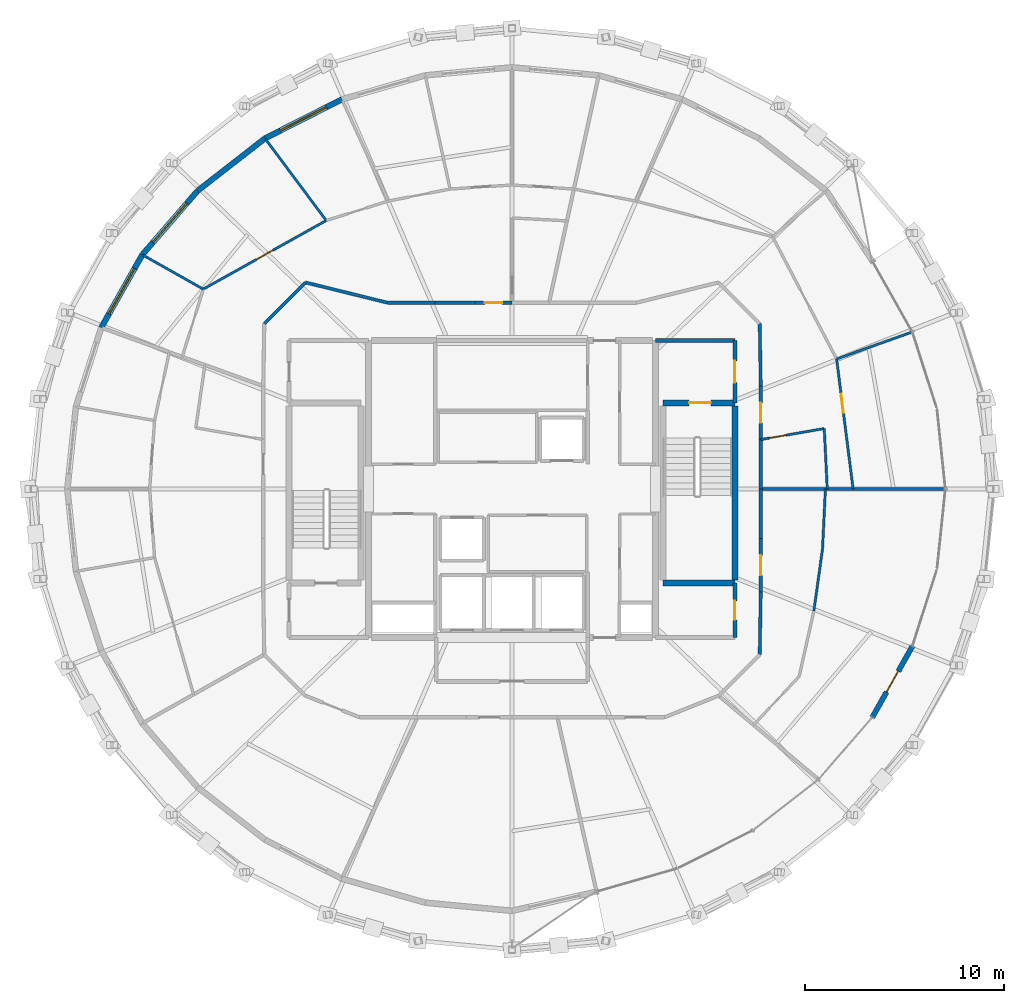
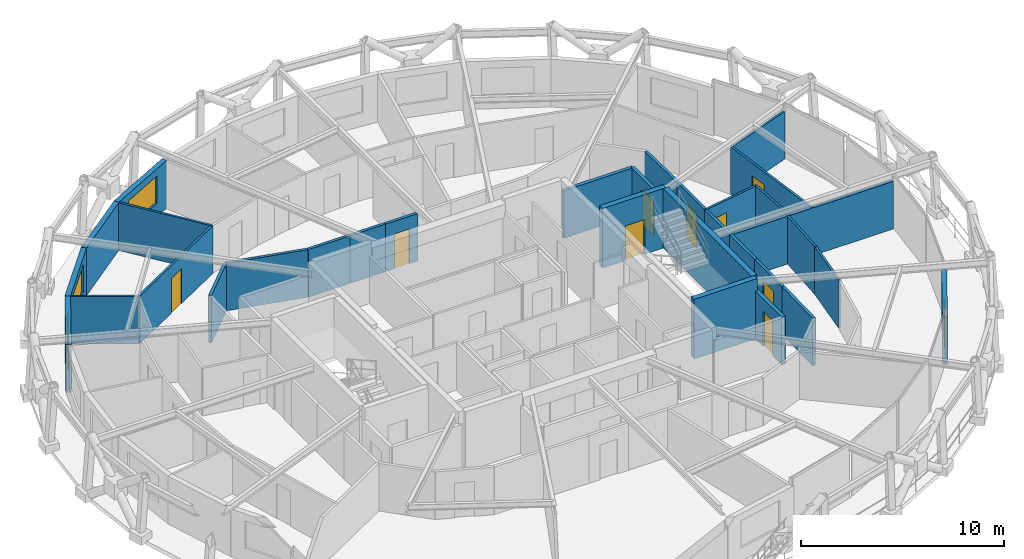
# One storey, part 15 of 18: 32 walls, 10 doors, 3 windows, 13 openings.
"""IFC4 building model written with IfcOpenShell, lengths in metres."""

from ifc_helpers import new_model, si_unit, direction, frame, frame_2d, origin, place, context, subcontext, project, spatial, rectangle, extrude, material, layer, layer_set, type_object, element, fill, save


model = new_model("IFC4")

# Units and contexts
model_context = context("Model", 3, precision=1e-05, world=origin(), true_north=direction((0.0, 1.0)))
body_context = subcontext(model_context, "Body", "Model", "MODEL_VIEW")
ifc_project = project(units=[si_unit("LENGTHUNIT", "METRE"), si_unit("AREAUNIT", "SQUARE_METRE"), si_unit("VOLUMEUNIT", "CUBIC_METRE"), si_unit("PLANEANGLEUNIT", "RADIAN"), si_unit("MASSUNIT", "GRAM", prefix="KILO")], contexts=[model_context])

# Site, building, storey
site_placement = place(None, origin())
site = spatial("IfcSite", under=ifc_project, at=site_placement, CompositionType="ELEMENT")
building_placement = place(site_placement, origin())
building = spatial("IfcBuilding", under=site, at=building_placement, Name="Veldorina Hangang Commons", CompositionType="ELEMENT")
storey_placement = place(building_placement, frame((0.0, 0.0, 232.800048828125)))
storey = spatial("IfcBuildingStorey", under=building, at=storey_placement, Name="L60", CompositionType="ELEMENT", Elevation=232.800048828125)

# Wall, opening, door
ifc_material_1 = material(Name="Stone Roman Travertine", Category="masonry")
ifc_layer_1 = layer(ifc_material_1, 0.260009765625)
ifc_layer_set_1 = layer_set([ifc_layer_1], Name="Stone Roman Travertine")
wall_type_1 = type_object("IfcWallType", Name="EW-LOGGIA-260", PredefinedType="STANDARD", material=ifc_layer_set_1)
wall_1_placement = place(storey_placement, frame((50.0810546875, 12.556396484375, 0.0), z_axis=(0.0, 0.0, 1.0), x_axis=(0.491457065187, 0.870901804498, 0.0)))
wall_1 = element("IfcWall", 1, at=wall_1_placement, inside=storey, type_object=wall_type_1, Name="L60 sky-garden loggia portal wall 29", PredefinedType="STANDARD", context=body_context, shape_type="SweptSolid", body=[
    extrude(rectangle(XDim=4.0888671875, YDim=0.260009765625, at=frame_2d((2.04443359375, 0.0))), origin(), (0.0, 0.0, 1.0), 2.8798828125),
])
opening_1_placement = place(wall_1_placement, frame((1.444580078125, 0.0, 0.0)))
opening_1 = element("IfcOpeningElement", 2, at=opening_1_placement, cuts=wall_1, Name="Opening BD-1200", PredefinedType="OPENING", context=body_context, shape_type="SweptSolid", body=[
    extrude(rectangle(XDim=1.199951171875, YDim=2.14990234375, at=frame_2d((0.60009765625, 1.074951171875))), frame((0.0, 0.14013671875, 0.0), z_axis=(0.0, -1.0, 0.0), x_axis=(1.0, 0.0, 0.0)), (0.0, 0.0, 1.0), 0.280029296875),
])
ifc_material_2 = material(Name="Glass Thermal Aluminium Frame", Category="aluminium")
door_type_1 = type_object("IfcDoorType", Name="DR-EXT-LOG1200", OperationType="SINGLE_SWING_LEFT", PredefinedType="DOOR", material=ifc_material_2)
door_1_placement = place(opening_1_placement, origin())
door_1 = element("IfcDoor", 3, at=door_1_placement, inside=storey, type_object=door_type_1, Name="L60 loggia glazed exterior door 29", OperationType="SINGLE_SWING_RIGHT", OverallHeight=2.14990234375, OverallWidth=1.199951171875, PredefinedType="DOOR", context=body_context, shape_type="SweptSolid", body=[
    extrude(rectangle(XDim=1.199951171875, YDim=2.14990234375, at=frame_2d((0.60009765625, 1.074951171875))), frame((0.0, 0.02490234375, 0.0), z_axis=(0.0, -1.0, 0.0), x_axis=(1.0, 0.0, 0.0)), (0.0, 0.0, 1.0), 0.050048828125),
])
fill(opening_1, door_1)

# Wall, opening, window
ifc_layer_2 = layer(ifc_material_1, 0.280029296875)
ifc_layer_set_2 = layer_set([ifc_layer_2], Name="Stone Roman Travertine")
wall_type_2 = type_object("IfcWallType", Name="EW-TRAV-280", PredefinedType="STANDARD", material=ifc_layer_set_2)
wall_2_placement = place(storey_placement, frame((23.4638671875, 43.547607421875, 0.0), z_axis=(0.0, 0.0, 1.0), x_axis=(-0.891906133231, -0.452220576162, 0.0)))
wall_2 = element("IfcWall", 4, at=wall_2_placement, inside=storey, type_object=wall_type_2, Name="L60 travertine facade wall 10", PredefinedType="STANDARD", context=body_context, shape_type="SweptSolid", body=[
    extrude(rectangle(XDim=4.32373046875, YDim=0.280029296875, at=frame_2d((2.161865234375, 0.0))), origin(), (0.0, 0.0, 1.0), 2.8798828125),
])
opening_2_placement = place(wall_2_placement, frame((0.86181640625, 0.0, 0.800048828125)))
opening_2 = element("IfcOpeningElement", 5, at=opening_2_placement, cuts=wall_2, Name="Opening W-02", PredefinedType="OPENING", context=body_context, shape_type="SweptSolid", body=[
    extrude(rectangle(XDim=2.60009765625, YDim=1.64990234375, at=frame_2d((1.300048828125, 0.824951171875))), frame((0.0, 0.14990234375, 0.0), z_axis=(0.0, -1.0, 0.0), x_axis=(1.0, 0.0, 0.0)), (0.0, 0.0, 1.0), 0.300048828125),
])
ifc_material_3 = material(Name="Glass Low-E Triple IGU", Category="glass")
window_type = type_object("IfcWindowType", Name="WIN-TWR-2600", PartitioningType="SINGLE_PANEL", PredefinedType="WINDOW", material=ifc_material_3)
window_1_placement = place(opening_2_placement, origin())
window_1 = element("IfcWindow", 6, at=window_1_placement, inside=storey, type_object=window_type, Name="L60 facade window 10", OverallHeight=1.64990234375, OverallWidth=2.60009765625, PartitioningType="SINGLE_PANEL", PredefinedType="WINDOW", context=body_context, shape_type="SweptSolid", body=[
    extrude(rectangle(XDim=2.60009765625, YDim=1.64990234375, at=frame_2d((1.300048828125, 0.824951171875))), frame((0.0, 0.030029296875, 0.0), z_axis=(0.0, -1.0, 0.0), x_axis=(1.0, 0.0, 0.0)), (0.0, 0.0, 1.0), 0.06005859375),
])
fill(opening_2, window_1)

# Wall
wall_3_placement = place(storey_placement, frame((19.607421875, 41.59228515625, 0.0), z_axis=(0.0, 0.0, 1.0), x_axis=(-0.789112773216, -0.614248346475, 0.0)))
element("IfcWall", 7, at=wall_3_placement, inside=storey, type_object=wall_type_2, Name="L60 travertine facade wall 11", PredefinedType="STANDARD", context=body_context, shape_type="SweptSolid", body=[
    extrude(rectangle(XDim=4.283447265625, YDim=0.280029296875, at=frame_2d((2.1416015625, 0.0))), origin(), (0.0, 0.0, 1.0), 2.8798828125),
])

# Wall, opening, window
wall_4_placement = place(storey_placement, frame((16.227294921875, 38.961181640625, 0.0), z_axis=(0.0, 0.0, 1.0), x_axis=(-0.654274793638, -0.756256897099, 0.0)))
wall_4 = element("IfcWall", 8, at=wall_4_placement, inside=storey, type_object=wall_type_2, Name="L60 travertine facade wall 12", PredefinedType="STANDARD", context=body_context, shape_type="SweptSolid", body=[
    extrude(rectangle(XDim=4.23974609375, YDim=0.280029296875, at=frame_2d((2.119873046875, 0.0))), origin(), (0.0, 0.0, 1.0), 2.8798828125),
])
opening_3_placement = place(wall_4_placement, frame((0.81982421875, 0.0, 0.800048828125)))
opening_3 = element("IfcOpeningElement", 9, at=opening_3_placement, cuts=wall_4, Name="Opening W-02", PredefinedType="OPENING", context=body_context, shape_type="SweptSolid", body=[
    extrude(rectangle(XDim=2.60009765625, YDim=1.64990234375, at=frame_2d((1.300048828125, 0.824951171875))), frame((0.0, 0.14990234375, 0.0), z_axis=(0.0, -1.0, 0.0), x_axis=(1.0, 0.0, 0.0)), (0.0, 0.0, 1.0), 0.300048828125),
])
window_2_placement = place(opening_3_placement, origin())
window_2 = element("IfcWindow", 10, at=window_2_placement, inside=storey, type_object=window_type, Name="L60 facade window 12", OverallHeight=1.64990234375, OverallWidth=2.60009765625, PartitioningType="SINGLE_PANEL", PredefinedType="WINDOW", context=body_context, shape_type="SweptSolid", body=[
    extrude(rectangle(XDim=2.60009765625, YDim=1.64990234375, at=frame_2d((1.300048828125, 0.824951171875))), frame((0.0, 0.030029296875, 0.0), z_axis=(0.0, -1.0, 0.0), x_axis=(1.0, 0.0, 0.0)), (0.0, 0.0, 1.0), 0.06005859375),
])
fill(opening_3, window_2)

wall_5_placement = place(storey_placement, frame((13.453369140625, 35.7548828125, 0.0), z_axis=(0.0, 0.0, 1.0), x_axis=(-0.490926410902, -0.871201044007, 0.0)))
wall_5 = element("IfcWall", 11, at=wall_5_placement, inside=storey, type_object=wall_type_2, Name="L60 travertine facade wall 13", PredefinedType="STANDARD", context=body_context, shape_type="SweptSolid", body=[
    extrude(rectangle(XDim=4.19873046875, YDim=0.280029296875, at=frame_2d((2.099365234375, 0.0))), origin(), (0.0, 0.0, 1.0), 2.8798828125),
])
opening_4_placement = place(wall_5_placement, frame((0.79931640625, 0.0, 0.800048828125)))
opening_4 = element("IfcOpeningElement", 12, at=opening_4_placement, cuts=wall_5, Name="Opening W-02", PredefinedType="OPENING", context=body_context, shape_type="SweptSolid", body=[
    extrude(rectangle(XDim=2.60009765625, YDim=1.64990234375, at=frame_2d((1.300048828125, 0.824951171875))), frame((0.0, 0.14990234375, 0.0), z_axis=(0.0, -1.0, 0.0), x_axis=(1.0, 0.0, 0.0)), (0.0, 0.0, 1.0), 0.300048828125),
])
window_3_placement = place(opening_4_placement, origin())
window_3 = element("IfcWindow", 13, at=window_3_placement, inside=storey, type_object=window_type, Name="L60 facade window 13", OverallHeight=1.64990234375, OverallWidth=2.60009765625, PartitioningType="SINGLE_PANEL", PredefinedType="WINDOW", context=body_context, shape_type="SweptSolid", body=[
    extrude(rectangle(XDim=2.60009765625, YDim=1.64990234375, at=frame_2d((1.300048828125, 0.824951171875))), frame((0.0, 0.030029296875, 0.0), z_axis=(0.0, -1.0, 0.0), x_axis=(1.0, 0.0, 0.0)), (0.0, 0.0, 1.0), 0.06005859375),
])
fill(opening_4, window_3)

# Walls
ifc_material_4 = material(Name="Concrete C50/60", Category="concrete")
ifc_layer_3 = layer(ifc_material_4, 0.300048828125)
ifc_layer_set_3 = layer_set([ifc_layer_3], Name="Concrete C50/60")
wall_type_3 = type_object("IfcWallType", Name="SW-STAIR-300", PredefinedType="SHEAR", material=ifc_layer_set_3)
wall_6_placement = place(storey_placement, frame((43.179931640625, 19.429931640625, 0.0), z_axis=(0.0, 0.0, 1.0), x_axis=(0.0, 1.0, 0.0)))
element("IfcWall", 14, at=wall_6_placement, inside=storey, type_object=wall_type_3, Name="L60 ST2 outer stair shear wall", PredefinedType="SHEAR", context=body_context, shape_type="SweptSolid", body=[
    extrude(rectangle(XDim=8.739990234375, YDim=0.300048828125, at=frame_2d((4.3701171875, 0.0))), origin(), (0.0, 0.0, 1.0), 3.599853515625),
])
wall_7_placement = place(storey_placement, frame((39.580078125, 19.280029296875, 0.0), z_axis=(0.0, 0.0, 1.0), x_axis=(1.0, 0.0, 0.0)))
element("IfcWall", 15, at=wall_7_placement, inside=storey, type_object=wall_type_3, Name="L60 ST2 south stair shear wall", PredefinedType="SHEAR", context=body_context, shape_type="SweptSolid", body=[
    extrude(rectangle(XDim=3.599853515625, YDim=0.300048828125, at=frame_2d((1.7998046875, 0.0))), origin(), (0.0, 0.0, 1.0), 3.599853515625),
])

# Wall, opening, door
wall_8_placement = place(storey_placement, frame((39.580078125, 28.320068359375, 0.0), z_axis=(0.0, 0.0, 1.0), x_axis=(1.0, 0.0, 0.0)))
wall_8 = element("IfcWall", 16, at=wall_8_placement, inside=storey, type_object=wall_type_3, Name="L60 ST2 north stair shear wall", PredefinedType="SHEAR", context=body_context, shape_type="SweptSolid", body=[
    extrude(rectangle(XDim=3.599853515625, YDim=0.300048828125, at=frame_2d((1.7998046875, 0.0))), origin(), (0.0, 0.0, 1.0), 3.599853515625),
])
opening_5_placement = place(wall_8_placement, frame((1.300048828125, 0.0, 0.0)))
opening_5 = element("IfcOpeningElement", 17, at=opening_5_placement, cuts=wall_8, Name="Opening D-08", PredefinedType="OPENING", context=body_context, shape_type="SweptSolid", body=[
    extrude(rectangle(XDim=1.10009765625, YDim=2.10009765625, at=frame_2d((0.550048828125, 1.050048828125))), frame((0.0, 0.16015625, 0.0), z_axis=(0.0, -1.0, 0.0), x_axis=(1.0, 0.0, 0.0)), (0.0, 0.0, 1.0), 0.320068359375),
])
ifc_material_5 = material(Name="Steel Fire-Rated Smoke Seal", Category="steel")
door_type_2 = type_object("IfcDoorType", Name="DR-FIRE-1100", OperationType="SINGLE_SWING_RIGHT", PredefinedType="DOOR", material=ifc_material_5)
door_2_placement = place(opening_5_placement, origin())
door_2 = element("IfcDoor", 18, at=door_2_placement, inside=storey, type_object=door_type_2, Name="L60 Special Escape Stair ST-2 door", OperationType="SINGLE_SWING_RIGHT", OverallHeight=2.10009765625, OverallWidth=1.10009765625, PredefinedType="DOOR", context=body_context, shape_type="SweptSolid", body=[
    extrude(rectangle(XDim=1.10009765625, YDim=2.10009765625, at=frame_2d((0.550048828125, 1.050048828125))), frame((0.0, 0.02490234375, 0.0), z_axis=(0.0, -1.0, 0.0), x_axis=(1.0, 0.0, 0.0)), (0.0, 0.0, 1.0), 0.050048828125),
])
fill(opening_5, door_2)

# Wall
ifc_material_6 = material(Name="Gypsum Fire-Rated Twin Stud Wall", Category="gypsum")
ifc_layer_4 = layer(ifc_material_6, 0.159912109375)
ifc_layer_set_4 = layer_set([ifc_layer_4], Name="Gypsum Fire-Rated Twin Stud Wall")
wall_type_4 = type_object("IfcWallType", Name="WL-FIRE-160", PredefinedType="SOLIDWALL", material=ifc_layer_set_4)
wall_9_placement = place(storey_placement, frame((44.47998046875, 24.0, 0.0), z_axis=(0.0, 0.0, 1.0), x_axis=(0.0, 1.0, 0.0)))
element("IfcWall", 19, at=wall_9_placement, inside=storey, type_object=wall_type_4, Name="L60 Compact collar outer wall 00 050", PredefinedType="SOLIDWALL", context=body_context, shape_type="SweptSolid", body=[
    extrude(rectangle(XDim=2.482421875, YDim=0.159912109375, at=frame_2d((1.2412109375, 0.0))), origin(), (0.0, 0.0, 1.0), 2.869873046875),
])

# Wall, opening, door
wall_10_placement = place(storey_placement, frame((44.47998046875, 26.482421875, 0.0), z_axis=(0.0, 0.0, 1.0), x_axis=(0.0, 1.0, 0.0)))
wall_10 = element("IfcWall", 20, at=wall_10_placement, inside=storey, type_object=wall_type_4, Name="L60 Compact collar outer wall 01 051", PredefinedType="SOLIDWALL", context=body_context, shape_type="SweptSolid", body=[
    extrude(rectangle(XDim=2.68701171875, YDim=0.159912109375, at=frame_2d((1.343505859375, 0.0))), origin(), (0.0, 0.0, 1.0), 2.869873046875),
])
opening_6_placement = place(wall_10_placement, frame((0.843505859375, 0.0, 0.0)))
opening_6 = element("IfcOpeningElement", 21, at=opening_6_placement, cuts=wall_10, Name="Opening D-06", PredefinedType="OPENING", context=body_context, shape_type="SweptSolid", body=[
    extrude(rectangle(XDim=1.0, YDim=2.10009765625, at=frame_2d((0.5, 1.050048828125))), frame((0.0, 0.08984375, 0.0), z_axis=(0.0, -1.0, 0.0), x_axis=(1.0, 0.0, 0.0)), (0.0, 0.0, 1.0), 0.179931640625),
])
ifc_material_7 = material(Name="Timber Fire-Rated Entrance Core", Category="wood")
door_type_3 = type_object("IfcDoorType", Name="DR-UNIT-1000", OperationType="SINGLE_SWING_LEFT", PredefinedType="DOOR", material=ifc_material_7)
door_3_placement = place(opening_6_placement, origin())
door_3 = element("IfcDoor", 22, at=door_3_placement, inside=storey, type_object=door_type_3, Name="L60 Cluster 2 entrance door 021", OperationType="SINGLE_SWING_LEFT", OverallHeight=2.10009765625, OverallWidth=1.0, PredefinedType="DOOR", context=body_context, shape_type="SweptSolid", body=[
    extrude(rectangle(XDim=1.0, YDim=2.10009765625, at=frame_2d((0.5, 1.050048828125))), frame((0.0, 0.02490234375, 0.0), z_axis=(0.0, -1.0, 0.0), x_axis=(1.0, 0.0, 0.0)), (0.0, 0.0, 1.0), 0.050048828125),
])
fill(opening_6, door_3)

# Wall
wall_11_placement = place(storey_placement, frame((44.47998046875, 29.16943359375, 0.0), z_axis=(0.0, 0.0, 1.0), x_axis=(-0.016981035134, 0.999855811828, 0.0)))
element("IfcWall", 23, at=wall_11_placement, inside=storey, type_object=wall_type_4, Name="L60 Compact collar outer wall 02 052", PredefinedType="SOLIDWALL", context=body_context, shape_type="SweptSolid", body=[
    extrude(rectangle(XDim=3.13427734375, YDim=0.159912109375, at=frame_2d((1.567138671875, 0.0))), origin(), (0.0, 0.0, 1.0), 2.869873046875),
])

# Wall, opening, door
wall_12_placement = place(storey_placement, frame((32.0, 33.35009765625, 0.0), z_axis=(0.0, 0.0, 1.0), x_axis=(-1.0, 0.0, 0.0)))
wall_12 = element("IfcWall", 24, at=wall_12_placement, inside=storey, type_object=wall_type_4, Name="L60 Compact collar outer wall 08 058", PredefinedType="SOLIDWALL", context=body_context, shape_type="SweptSolid", body=[
    extrude(rectangle(XDim=1.85986328125, YDim=0.159912109375, at=frame_2d((0.929931640625, 0.0))), origin(), (0.0, 0.0, 1.0), 2.869873046875),
])
opening_7_placement = place(wall_12_placement, frame((0.5, 0.0, 0.0)))
opening_7 = element("IfcOpeningElement", 25, at=opening_7_placement, cuts=wall_12, Name="Opening D-01N", PredefinedType="OPENING", context=body_context, shape_type="SweptSolid", body=[
    extrude(rectangle(XDim=0.860107421875, YDim=2.10009765625, at=frame_2d((0.43017578125, 1.050048828125))), frame((0.0, 0.08984375, 0.0), z_axis=(0.0, -1.0, 0.0), x_axis=(1.0, 0.0, 0.0)), (0.0, 0.0, 1.0), 0.179931640625),
])
ifc_material_8 = material(Name="Timber Fire-Rated Core", Category="wood")
door_type_4 = type_object("IfcDoorType", Name="DR-INT-860", OperationType="SINGLE_SWING_LEFT", PredefinedType="DOOR", material=ifc_material_8)
door_4_placement = place(opening_7_placement, origin())
door_4 = element("IfcDoor", 26, at=door_4_placement, inside=storey, type_object=door_type_4, Name="L60 Cluster 3 entrance door 027", OperationType="SINGLE_SWING_LEFT", OverallHeight=2.10009765625, OverallWidth=0.860107421875, PredefinedType="DOOR", context=body_context, shape_type="SweptSolid", body=[
    extrude(rectangle(XDim=0.860107421875, YDim=2.10009765625, at=frame_2d((0.43017578125, 1.050048828125))), frame((0.0, 0.02490234375, 0.0), z_axis=(0.0, -1.0, 0.0), x_axis=(1.0, 0.0, 0.0)), (0.0, 0.0, 1.0), 0.050048828125),
])
fill(opening_7, door_4)

# Walls
wall_13_placement = place(storey_placement, frame((30.14013671875, 33.35009765625, 0.0), z_axis=(0.0, 0.0, 1.0), x_axis=(-1.0, 0.0, 0.0)))
element("IfcWall", 27, at=wall_13_placement, inside=storey, type_object=wall_type_4, Name="L60 Compact collar outer wall 09 059", PredefinedType="SOLIDWALL", context=body_context, shape_type="SweptSolid", body=[
    extrude(rectangle(XDim=2.012939453125, YDim=0.159912109375, at=frame_2d((1.00634765625, 0.0))), origin(), (0.0, 0.0, 1.0), 2.869873046875),
])
wall_14_placement = place(storey_placement, frame((28.127197265625, 33.35009765625, 0.0), z_axis=(0.0, 0.0, 1.0), x_axis=(-1.0, 0.0, 0.0)))
element("IfcWall", 28, at=wall_14_placement, inside=storey, type_object=wall_type_4, Name="L60 Compact collar outer wall 10 060", PredefinedType="SOLIDWALL", context=body_context, shape_type="SweptSolid", body=[
    extrude(rectangle(XDim=2.374755859375, YDim=0.159912109375, at=frame_2d((1.1875, 0.0))), origin(), (0.0, 0.0, 1.0), 2.869873046875),
])
wall_15_placement = place(storey_placement, frame((25.75244140625, 33.35009765625, 0.0), z_axis=(0.0, 0.0, 1.0), x_axis=(-0.970939799552, 0.239323850978, 0.0)))
element("IfcWall", 29, at=wall_15_placement, inside=storey, type_object=wall_type_4, Name="L60 Compact collar outer wall 11 061", PredefinedType="SOLIDWALL", context=body_context, shape_type="SweptSolid", body=[
    extrude(rectangle(XDim=4.24072265625, YDim=0.159912109375, at=frame_2d((2.120361328125, 0.0))), origin(), (0.0, 0.0, 1.0), 2.869873046875),
])
wall_16_placement = place(storey_placement, frame((21.635009765625, 34.364990234375, 0.0), z_axis=(0.0, 0.0, 1.0), x_axis=(-0.707106781187, -0.707106781187, 0.0)))
element("IfcWall", 30, at=wall_16_placement, inside=storey, type_object=wall_type_4, Name="L60 Compact collar outer wall 12 062", PredefinedType="SOLIDWALL", context=body_context, shape_type="SweptSolid", body=[
    extrude(rectangle(XDim=2.915771484375, YDim=0.159912109375, at=frame_2d((1.4580078125, 0.0))), origin(), (0.0, 0.0, 1.0), 2.869873046875),
])
wall_17_placement = place(storey_placement, frame((44.4267578125, 15.69677734375, 0.0), z_axis=(0.0, 0.0, 1.0), x_axis=(0.016981035134, 0.999855811828, 0.0)))
element("IfcWall", 31, at=wall_17_placement, inside=storey, type_object=wall_type_4, Name="L60 Compact collar outer wall 29 079", PredefinedType="SOLIDWALL", context=body_context, shape_type="SweptSolid", body=[
    extrude(rectangle(XDim=3.13427734375, YDim=0.159912109375, at=frame_2d((1.567138671875, 0.0))), origin(), (0.0, 0.0, 1.0), 2.869873046875),
])

# Wall, opening, door
wall_18_placement = place(storey_placement, frame((44.47998046875, 18.83056640625, 0.0), z_axis=(0.0, 0.0, 1.0), x_axis=(0.0, 1.0, 0.0)))
wall_18 = element("IfcWall", 32, at=wall_18_placement, inside=storey, type_object=wall_type_4, Name="L60 Compact collar outer wall 30 080", PredefinedType="SOLIDWALL", context=body_context, shape_type="SweptSolid", body=[
    extrude(rectangle(XDim=2.68701171875, YDim=0.159912109375, at=frame_2d((1.343505859375, 0.0))), origin(), (0.0, 0.0, 1.0), 2.869873046875),
])
opening_8_placement = place(wall_18_placement, frame((0.843505859375, 0.0, 0.0)))
opening_8 = element("IfcOpeningElement", 33, at=opening_8_placement, cuts=wall_18, Name="Opening D-05", PredefinedType="OPENING", context=body_context, shape_type="SweptSolid", body=[
    extrude(rectangle(XDim=1.0, YDim=2.10009765625, at=frame_2d((0.5, 1.050048828125))), frame((0.0, 0.08984375, 0.0), z_axis=(0.0, -1.0, 0.0), x_axis=(1.0, 0.0, 0.0)), (0.0, 0.0, 1.0), 0.179931640625),
])
ifc_material_9 = material(Name="Timber Solid Core Acoustic", Category="wood")
door_type_5 = type_object("IfcDoorType", Name="DR-INT-1000", OperationType="SINGLE_SWING_RIGHT", PredefinedType="DOOR", material=ifc_material_9)
door_5_placement = place(opening_8_placement, origin())
door_5 = element("IfcDoor", 34, at=door_5_placement, inside=storey, type_object=door_type_5, Name="L60 Commons alcove door 018", OperationType="SINGLE_SWING_RIGHT", OverallHeight=2.10009765625, OverallWidth=1.0, PredefinedType="DOOR", context=body_context, shape_type="SweptSolid", body=[
    extrude(rectangle(XDim=1.0, YDim=2.10009765625, at=frame_2d((0.5, 1.050048828125))), frame((0.0, 0.02490234375, 0.0), z_axis=(0.0, -1.0, 0.0), x_axis=(1.0, 0.0, 0.0)), (0.0, 0.0, 1.0), 0.050048828125),
])
fill(opening_8, door_5)

# Walls
wall_19_placement = place(storey_placement, frame((44.47998046875, 21.517578125, 0.0), z_axis=(0.0, 0.0, 1.0), x_axis=(0.0, 1.0, 0.0)))
element("IfcWall", 35, at=wall_19_placement, inside=storey, type_object=wall_type_4, Name="L60 Compact collar outer wall 31 081", PredefinedType="SOLIDWALL", context=body_context, shape_type="SweptSolid", body=[
    extrude(rectangle(XDim=2.482421875, YDim=0.159912109375, at=frame_2d((1.2412109375, 0.0))), origin(), (0.0, 0.0, 1.0), 2.869873046875),
])
wall_20_placement = place(storey_placement, frame((44.47998046875, 24.0, 0.0), z_axis=(0.0, 0.0, 1.0), x_axis=(1.0, 0.0, 0.0)))
element("IfcWall", 36, at=wall_20_placement, inside=storey, type_object=wall_type_4, Name="L60 Unit party wall 00 087", PredefinedType="SOLIDWALL", context=body_context, shape_type="SweptSolid", body=[
    extrude(rectangle(XDim=9.2158203125, YDim=0.159912109375, at=frame_2d((4.60791015625, 0.0))), origin(), (0.0, 0.0, 1.0), 2.869873046875),
])

# Wall, opening, door
ifc_material_10 = material(Name="Concrete Blockwork Fire Wall C30/37", Category="masonry")
ifc_layer_5 = layer(ifc_material_10, 0.199951171875)
ifc_layer_set_5 = layer_set([ifc_layer_5], Name="Concrete Blockwork Fire Wall C30/37")
wall_type_5 = type_object("IfcWallType", Name="WL-FIRE-200", PredefinedType="SOLIDWALL", material=ifc_layer_set_5)
wall_21_placement = place(storey_placement, frame((43.179931640625, 28.320068359375, 0.0), z_axis=(0.0, 0.0, 1.0), x_axis=(0.0, 1.0, 0.0)))
wall_21 = element("IfcWall", 37, at=wall_21_placement, inside=storey, type_object=wall_type_5, Name="L60 East vestibule outer wall 003", PredefinedType="SOLIDWALL", context=body_context, shape_type="SweptSolid", body=[
    extrude(rectangle(XDim=3.1298828125, YDim=0.199951171875, at=frame_2d((1.56494140625, 0.0))), origin(), (0.0, 0.0, 1.0), 2.869873046875),
])
opening_9_placement = place(wall_21_placement, frame((1.014892578125, 0.0, 0.0)))
opening_9 = element("IfcOpeningElement", 38, at=opening_9_placement, cuts=wall_21, Name="Opening D-08", PredefinedType="OPENING", context=body_context, shape_type="SweptSolid", body=[
    extrude(rectangle(XDim=1.10009765625, YDim=2.10009765625, at=frame_2d((0.550048828125, 1.050048828125))), frame((0.0, 0.10986328125, 0.0), z_axis=(0.0, -1.0, 0.0), x_axis=(1.0, 0.0, 0.0)), (0.0, 0.0, 1.0), 0.219970703125),
])
door_6_placement = place(opening_9_placement, origin())
door_6 = element("IfcDoor", 39, at=door_6_placement, inside=storey, type_object=door_type_2, Name="L60 East vestibule east door 002", OperationType="SINGLE_SWING_RIGHT", OverallHeight=2.10009765625, OverallWidth=1.10009765625, PredefinedType="DOOR", context=body_context, shape_type="SweptSolid", body=[
    extrude(rectangle(XDim=1.10009765625, YDim=2.10009765625, at=frame_2d((0.550048828125, 1.050048828125))), frame((0.0, 0.02490234375, 0.0), z_axis=(0.0, -1.0, 0.0), x_axis=(1.0, 0.0, 0.0)), (0.0, 0.0, 1.0), 0.050048828125),
])
fill(opening_9, door_6)

# Wall
wall_22_placement = place(storey_placement, frame((39.199951171875, 31.449951171875, 0.0), z_axis=(0.0, 0.0, 1.0), x_axis=(1.0, 0.0, 0.0)))
element("IfcWall", 40, at=wall_22_placement, inside=storey, type_object=wall_type_5, Name="L60 East vestibule north wall 004", PredefinedType="SOLIDWALL", context=body_context, shape_type="SweptSolid", body=[
    extrude(rectangle(XDim=3.97998046875, YDim=0.199951171875, at=frame_2d((1.989990234375, 0.0))), origin(), (0.0, 0.0, 1.0), 2.869873046875),
])

# Wall, opening, door
wall_23_placement = place(storey_placement, frame((43.179931640625, 16.550048828125, 0.0), z_axis=(0.0, 0.0, 1.0), x_axis=(0.0, 1.0, 0.0)))
wall_23 = element("IfcWall", 41, at=wall_23_placement, inside=storey, type_object=wall_type_5, Name="L60 SE core room outer wall 007", PredefinedType="SOLIDWALL", context=body_context, shape_type="SweptSolid", body=[
    extrude(rectangle(XDim=2.72998046875, YDim=0.199951171875, at=frame_2d((1.364990234375, 0.0))), origin(), (0.0, 0.0, 1.0), 2.869873046875),
])
opening_10_placement = place(wall_23_placement, frame((0.889892578125, 0.0, 0.0)))
opening_10 = element("IfcOpeningElement", 42, at=opening_10_placement, cuts=wall_23, Name="Opening D-02", PredefinedType="OPENING", context=body_context, shape_type="SweptSolid", body=[
    extrude(rectangle(XDim=0.949951171875, YDim=2.10009765625, at=frame_2d((0.47509765625, 1.050048828125))), frame((0.0, 0.10986328125, 0.0), z_axis=(0.0, -1.0, 0.0), x_axis=(1.0, 0.0, 0.0)), (0.0, 0.0, 1.0), 0.219970703125),
])
door_type_6 = type_object("IfcDoorType", Name="DR-INT-950", OperationType="SINGLE_SWING_LEFT", PredefinedType="DOOR", material=ifc_material_9)
door_7_placement = place(opening_10_placement, origin())
door_7 = element("IfcDoor", 43, at=door_7_placement, inside=storey, type_object=door_type_6, Name="L60 SE core WC door 004", OperationType="SINGLE_SWING_RIGHT", OverallHeight=2.10009765625, OverallWidth=0.949951171875, PredefinedType="DOOR", context=body_context, shape_type="SweptSolid", body=[
    extrude(rectangle(XDim=0.949951171875, YDim=2.10009765625, at=frame_2d((0.47509765625, 1.050048828125))), frame((0.0, 0.02490234375, 0.0), z_axis=(0.0, -1.0, 0.0), x_axis=(1.0, 0.0, 0.0)), (0.0, 0.0, 1.0), 0.050048828125),
])
fill(opening_10, door_7)

# Walls
ifc_material_11 = material(Name="Gypsum Acoustic Stud Partition", Category="gypsum")
ifc_layer_6 = layer(ifc_material_11, 0.1201171875)
ifc_layer_set_6 = layer_set([ifc_layer_6], Name="Gypsum Acoustic Stud Partition")
wall_type_6 = type_object("IfcWallType", Name="WL-PART-120", PredefinedType="PARTITIONING", material=ifc_layer_set_6)
wall_24_placement = place(storey_placement, frame((47.143798828125, 17.881103515625, 0.0), z_axis=(0.0, 0.0, 1.0), x_axis=(0.138416734292, 0.990374074614, 0.0)))
element("IfcWall", 44, at=wall_24_placement, inside=storey, type_object=wall_type_6, Name="L60 Lounge alcove split 2 085", PredefinedType="PARTITIONING", context=body_context, shape_type="SweptSolid", body=[
    extrude(rectangle(XDim=3.12890625, YDim=0.1201171875, at=frame_2d((1.564453125, 0.0))), origin(), (0.0, 0.0, 1.0), 2.869873046875),
])
wall_25_placement = place(storey_placement, frame((47.576904296875, 20.97998046875, 0.0), z_axis=(0.0, 0.0, 1.0), x_axis=(0.048366932207, 0.998829635057, 0.0)))
element("IfcWall", 45, at=wall_25_placement, inside=storey, type_object=wall_type_6, Name="L60 Lounge alcove split 3 086", PredefinedType="PARTITIONING", context=body_context, shape_type="SweptSolid", body=[
    extrude(rectangle(XDim=3.0234375, YDim=0.1201171875, at=frame_2d((1.51171875, 0.0))), origin(), (0.0, 0.0, 1.0), 2.869873046875),
])
wall_26_placement = place(storey_placement, frame((47.815673828125, 24.0, 0.0), z_axis=(0.0, 0.0, 1.0), x_axis=(-0.049484864646, 0.998774873618, 0.0)))
element("IfcWall", 46, at=wall_26_placement, inside=storey, type_object=wall_type_6, Name="L60 Cluster 2 bath front wall 088", PredefinedType="PARTITIONING", context=body_context, shape_type="SweptSolid", body=[
    extrude(rectangle(XDim=3.0390625, YDim=0.1201171875, at=frame_2d((1.51953125, 0.0))), origin(), (0.0, 0.0, 1.0), 2.869873046875),
])

# Wall, opening, door
wall_27_placement = place(storey_placement, frame((44.47998046875, 26.482421875, 0.0), z_axis=(0.0, 0.0, 1.0), x_axis=(0.985263255419, 0.171044782212, 0.0)))
wall_27 = element("IfcWall", 47, at=wall_27_placement, inside=storey, type_object=wall_type_6, Name="L60 Cluster 2 bath side wall 089", PredefinedType="PARTITIONING", context=body_context, shape_type="SweptSolid", body=[
    extrude(rectangle(XDim=3.23291015625, YDim=0.1201171875, at=frame_2d((1.616455078125, 0.0))), origin(), (0.0, 0.0, 1.0), 2.869873046875),
])
opening_11_placement = place(wall_27_placement, frame((0.43994140625, 0.0, 0.0)))
opening_11 = element("IfcOpeningElement", 48, at=opening_11_placement, cuts=wall_27, Name="Opening D-01", PredefinedType="OPENING", context=body_context, shape_type="SweptSolid", body=[
    extrude(rectangle(XDim=0.860107421875, YDim=2.10009765625, at=frame_2d((0.43017578125, 1.050048828125))), frame((0.0, 0.070068359375, 0.0), z_axis=(0.0, -1.0, 0.0), x_axis=(1.0, 0.0, 0.0)), (0.0, 0.0, 1.0), 0.14013671875),
])
ifc_material_12 = material(Name="Timber Moisture-Resistant Core", Category="wood")
door_type_7 = type_object("IfcDoorType", Name="DR-WET-860", OperationType="SINGLE_SWING_LEFT", PredefinedType="DOOR", material=ifc_material_12)
door_8_placement = place(opening_11_placement, origin())
door_8 = element("IfcDoor", 49, at=door_8_placement, inside=storey, type_object=door_type_7, Name="L60 Cluster 2 shared bathroom door 020", OperationType="SINGLE_SWING_RIGHT", OverallHeight=2.10009765625, OverallWidth=0.860107421875, PredefinedType="DOOR", context=body_context, shape_type="SweptSolid", body=[
    extrude(rectangle(XDim=0.860107421875, YDim=2.10009765625, at=frame_2d((0.43017578125, 1.050048828125))), frame((0.0, 0.02490234375, 0.0), z_axis=(0.0, -1.0, 0.0), x_axis=(1.0, 0.0, 0.0)), (0.0, 0.0, 1.0), 0.050048828125),
])
fill(opening_11, door_8)

wall_28_placement = place(storey_placement, frame((49.11279296875, 24.0, 0.0), z_axis=(0.0, 0.0, 1.0), x_axis=(-0.125779473563, 0.992058226129, 0.0)))
wall_28 = element("IfcWall", 50, at=wall_28_placement, inside=storey, type_object=wall_type_6, Name="L60 Cluster 2 bed 1 front wall 090", PredefinedType="PARTITIONING", context=body_context, shape_type="SweptSolid", body=[
    extrude(rectangle(XDim=6.578125, YDim=0.1201171875, at=frame_2d((3.2890625, 0.0))), origin(), (0.0, 0.0, 1.0), 2.869873046875),
])
opening_12_placement = place(wall_28_placement, frame((3.85888671875, 0.0, 0.0)))
opening_12 = element("IfcOpeningElement", 51, at=opening_12_placement, cuts=wall_28, Name="Opening D-02", PredefinedType="OPENING", context=body_context, shape_type="SweptSolid", body=[
    extrude(rectangle(XDim=0.949951171875, YDim=2.10009765625, at=frame_2d((0.47509765625, 1.050048828125))), frame((0.0, 0.070068359375, 0.0), z_axis=(0.0, -1.0, 0.0), x_axis=(1.0, 0.0, 0.0)), (0.0, 0.0, 1.0), 0.14013671875),
])
door_9_placement = place(opening_12_placement, origin())
door_9 = element("IfcDoor", 52, at=door_9_placement, inside=storey, type_object=door_type_6, Name="L60 Cluster 2 bed 1 door 022", OperationType="SINGLE_SWING_RIGHT", OverallHeight=2.10009765625, OverallWidth=0.949951171875, PredefinedType="DOOR", context=body_context, shape_type="SweptSolid", body=[
    extrude(rectangle(XDim=0.949951171875, YDim=2.10009765625, at=frame_2d((0.47509765625, 1.050048828125))), frame((0.0, 0.02490234375, 0.0), z_axis=(0.0, -1.0, 0.0), x_axis=(1.0, 0.0, 0.0)), (0.0, 0.0, 1.0), 0.050048828125),
])
fill(opening_12, door_9)

# Wall
wall_29_placement = place(storey_placement, frame((48.285400390625, 30.52587890625, 0.0), z_axis=(0.0, 0.0, 1.0), x_axis=(0.941925899745, 0.335820784629, 0.0)))
element("IfcWall", 53, at=wall_29_placement, inside=storey, type_object=wall_type_6, Name="L60 Cluster 2 bed divider 1 092", PredefinedType="PARTITIONING", context=body_context, shape_type="SweptSolid", body=[
    extrude(rectangle(XDim=3.98974609375, YDim=0.1201171875, at=frame_2d((1.994873046875, 0.0))), origin(), (0.0, 0.0, 1.0), 2.869873046875),
])

# Wall, opening, door
wall_30_placement = place(storey_placement, frame((22.679931640625, 37.47119140625, 0.0), z_axis=(0.0, 0.0, 1.0), x_axis=(-0.873183674394, -0.487391291234, 0.0)))
wall_30 = element("IfcWall", 54, at=wall_30_placement, inside=storey, type_object=wall_type_6, Name="L60 Cluster 3 bed 5 front wall 107", PredefinedType="PARTITIONING", context=body_context, shape_type="SweptSolid", body=[
    extrude(rectangle(XDim=7.062255859375, YDim=0.1201171875, at=frame_2d((3.53125, 0.0))), origin(), (0.0, 0.0, 1.0), 2.869873046875),
])
opening_13_placement = place(wall_30_placement, frame((3.05615234375, 0.0, 0.0)))
opening_13 = element("IfcOpeningElement", 55, at=opening_13_placement, cuts=wall_30, Name="Opening D-02", PredefinedType="OPENING", context=body_context, shape_type="SweptSolid", body=[
    extrude(rectangle(XDim=0.949951171875, YDim=2.10009765625, at=frame_2d((0.47509765625, 1.050048828125))), frame((0.0, 0.070068359375, 0.0), z_axis=(0.0, -1.0, 0.0), x_axis=(1.0, 0.0, 0.0)), (0.0, 0.0, 1.0), 0.14013671875),
])
door_10_placement = place(opening_13_placement, origin())
door_10 = element("IfcDoor", 56, at=door_10_placement, inside=storey, type_object=door_type_6, Name="L60 Cluster 3 bed 5 door 032", OperationType="SINGLE_SWING_RIGHT", OverallHeight=2.10009765625, OverallWidth=0.949951171875, PredefinedType="DOOR", context=body_context, shape_type="SweptSolid", body=[
    extrude(rectangle(XDim=0.949951171875, YDim=2.10009765625, at=frame_2d((0.47509765625, 1.050048828125))), frame((0.0, 0.02490234375, 0.0), z_axis=(0.0, -1.0, 0.0), x_axis=(1.0, 0.0, 0.0)), (0.0, 0.0, 1.0), 0.050048828125),
])
fill(opening_13, door_10)

# Walls
wall_31_placement = place(storey_placement, frame((22.679931640625, 37.47119140625, 0.0), z_axis=(0.0, 0.0, 1.0), x_axis=(-0.597695366931, 0.801723299119, 0.0)))
element("IfcWall", 57, at=wall_31_placement, inside=storey, type_object=wall_type_6, Name="L60 Cluster 3 bed divider 4 108", PredefinedType="PARTITIONING", context=body_context, shape_type="SweptSolid", body=[
    extrude(rectangle(XDim=5.09033203125, YDim=0.1201171875, at=frame_2d((2.545166015625, 0.0))), origin(), (0.0, 0.0, 1.0), 2.869873046875),
])
wall_32_placement = place(storey_placement, frame((16.51318359375, 34.029052734375, 0.0), z_axis=(0.0, 0.0, 1.0), x_axis=(-0.87102333073, 0.491241648606, 0.0)))
element("IfcWall", 58, at=wall_32_placement, inside=storey, type_object=wall_type_6, Name="L60 Cluster 3 bed divider 5 110", PredefinedType="PARTITIONING", context=body_context, shape_type="SweptSolid", body=[
    extrude(rectangle(XDim=3.462890625, YDim=0.1201171875, at=frame_2d((1.7314453125, 0.0))), origin(), (0.0, 0.0, 1.0), 2.869873046875),
])

save(model, "model.ifc")
